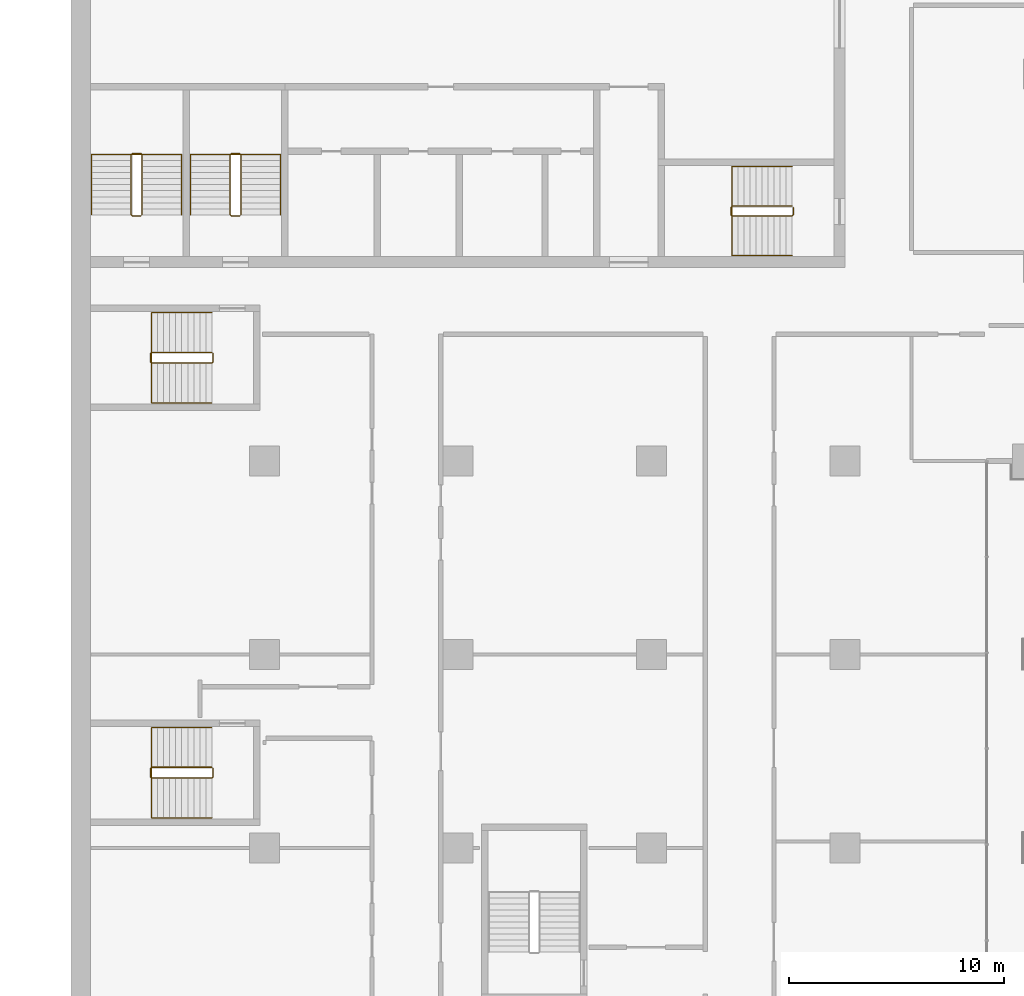
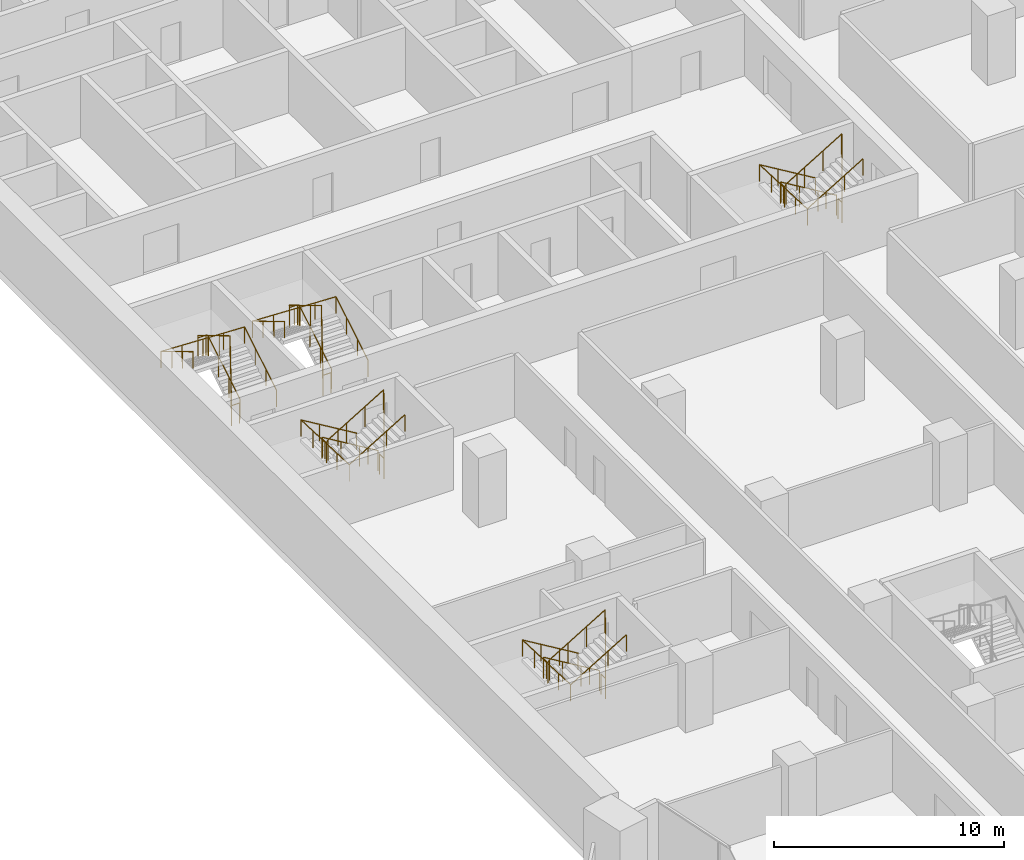
# One storey, part 26 of 29: 10 railings.
"""IFC4 building model written with IfcOpenShell, lengths in metres."""

from ifc_helpers import new_model, si_unit, direction, frame, origin, origin_2d, place, context, subcontext, project, spatial, circle, extrude, material, type_object, element, save


model = new_model("IFC4")

# Units and contexts
model_context = context("Model", 3, precision=1e-05, world=origin(), true_north=direction((0.0, 1.0)))
body_context = subcontext(model_context, "Body", "Model", "MODEL_VIEW")
ifc_project = project(units=[si_unit("LENGTHUNIT", "METRE"), si_unit("AREAUNIT", "SQUARE_METRE"), si_unit("VOLUMEUNIT", "CUBIC_METRE"), si_unit("PLANEANGLEUNIT", "RADIAN"), si_unit("MASSUNIT", "GRAM", prefix="KILO")], contexts=[model_context])

# Site, building, storey
site_placement = place(None, origin())
site = spatial("IfcSite", under=ifc_project, at=site_placement, CompositionType="ELEMENT")
building_placement = place(site_placement, origin())
building = spatial("IfcBuilding", under=site, at=building_placement, Name="Hunhe Ridgeline Campus", CompositionType="ELEMENT")
storey_placement = place(building_placement, frame((0.0, 0.0, 65.39990234375)))
storey = spatial("IfcBuildingStorey", under=building, at=storey_placement, Name="L15", CompositionType="ELEMENT", Elevation=65.39990234375)

# Railings
ifc_material_1 = material(Name="Stainless steel balustrade", Category="steel")
railing_type_1 = type_object("IfcRailingType", Name="Stair guard 1100 stainless", PredefinedType="GUARDRAIL", material=ifc_material_1)
railing_1_placement = place(storey_placement, frame((33.550048828125, 65.85009765625, 0.168212890625)))
element("IfcRailing", 1, at=railing_1_placement, inside=storey, type_object=railing_type_1, Name="L15 stair S2 guard", PredefinedType="GUARDRAIL", context=body_context, shape_type="SweptSolid", body=[
    extrude(circle(Radius=0.02392578125, at=origin_2d()), frame((0.0, 0.0, 1.076171875), z_axis=(-0.857242210791, 0.0, 0.514913383045), x_axis=(0.0, -1.0, 0.0)), (0.0, 0.0, 1.0), 3.266357421875),
    extrude(circle(Radius=0.02392578125, at=origin_2d()), frame((-2.800048828125, 0.0, 2.7578125), z_axis=(-0.707106781187, -0.707106781187, 0.0), x_axis=(0.707106781187, -0.707106781187, 0.0)), (0.0, 0.0, 1.0), 0.07080078125),
    extrude(circle(Radius=0.02392578125, at=origin_2d()), frame((-2.85009765625, -0.050048828125, 2.7578125), z_axis=(0.0, -1.0, 0.0), x_axis=(1.0, 0.0, 0.0)), (0.0, 0.0, 1.0), 0.35009765625),
    extrude(circle(Radius=0.02392578125, at=origin_2d()), frame((-2.85009765625, -0.400146484375, 2.7578125), z_axis=(0.274243871929, -0.274243871929, 0.92172696468), x_axis=(0.707106781187, 0.707106781187, 0.0)), (0.0, 0.0, 1.0), 0.1826171875),
    extrude(circle(Radius=0.02392578125, at=origin_2d()), frame((-2.800048828125, -0.4501953125, 2.92626953125), z_axis=(0.857242210791, 0.0, 0.514913383045), x_axis=(0.0, 1.0, 0.0)), (0.0, 0.0, 1.0), 3.266357421875),
    extrude(circle(Radius=0.02392578125, at=origin_2d()), frame((0.0, -0.4501953125, 4.60791015625), z_axis=(0.013523522368, 0.013523522368, -0.999817097616), x_axis=(-0.707106781187, 0.707106781187, 0.0)), (0.0, 0.0, 1.0), 3.700927734375),
    extrude(circle(Radius=0.02392578125, at=origin_2d()), frame((0.050048828125, -0.400146484375, 0.90771484375), z_axis=(0.0, 1.0, 0.0), x_axis=(-1.0, 0.0, 0.0)), (0.0, 0.0, 1.0), 0.35009765625),
    extrude(circle(Radius=0.02099609375, at=origin_2d()), origin(), (0.0, 0.0, 1.0), 1.052001953125),
    extrude(circle(Radius=0.02099609375, at=origin_2d()), frame((-0.933349609375, 0.0, 0.560546875)), (0.0, 0.0, 1.0), 1.052001953125),
    extrude(circle(Radius=0.02099609375, at=origin_2d()), frame((-1.86669921875, 0.0, 1.121337890625)), (0.0, 0.0, 1.0), 1.052001953125),
    extrude(circle(Radius=0.02099609375, at=origin_2d()), frame((-2.800048828125, 0.0, 1.681884765625)), (0.0, 0.0, 1.0), 1.052001953125),
    extrude(circle(Radius=0.02099609375, at=origin_2d()), frame((-2.85009765625, -0.050048828125, 1.681884765625)), (0.0, 0.0, 1.0), 1.052001953125),
    extrude(circle(Radius=0.02099609375, at=origin_2d()), frame((-2.85009765625, -0.400146484375, 1.681884765625)), (0.0, 0.0, 1.0), 1.052001953125),
    extrude(circle(Radius=0.02099609375, at=origin_2d()), frame((-2.800048828125, -0.4501953125, 1.85009765625)), (0.0, 0.0, 1.0), 1.052001953125),
    extrude(circle(Radius=0.02099609375, at=origin_2d()), frame((-1.86669921875, -0.4501953125, 2.41064453125)), (0.0, 0.0, 1.0), 1.052001953125),
    extrude(circle(Radius=0.02099609375, at=origin_2d()), frame((-0.933349609375, -0.4501953125, 2.971435546875)), (0.0, 0.0, 1.0), 1.052001953125),
    extrude(circle(Radius=0.02099609375, at=origin_2d()), frame((0.0, -0.4501953125, 3.531982421875)), (0.0, 0.0, 1.0), 1.052001953125),
    extrude(circle(Radius=0.02099609375, at=origin_2d()), frame((0.012451171875, -0.437744140625, 2.60693359375)), (0.0, 0.0, 1.0), 1.052001953125),
    extrude(circle(Radius=0.02099609375, at=origin_2d()), frame((0.02490234375, -0.42529296875, 1.681884765625)), (0.0, 0.0, 1.0), 1.052001953125),
    extrude(circle(Radius=0.02099609375, at=origin_2d()), frame((0.03759765625, -0.41259765625, 0.7568359375)), (0.0, 0.0, 1.0), 1.052001953125),
    extrude(circle(Radius=0.02099609375, at=origin_2d()), frame((0.050048828125, -0.400146484375, -0.168212890625)), (0.0, 0.0, 1.0), 1.052001953125),
    extrude(circle(Radius=0.02099609375, at=origin_2d()), frame((0.050048828125, -0.050048828125, -0.168212890625)), (0.0, 0.0, 1.0), 1.052001953125),
])
railing_2_placement = place(storey_placement, frame((3.300048828125, 65.449951171875, 0.168212890625)))
element("IfcRailing", 2, at=railing_2_placement, inside=storey, type_object=railing_type_1, Name="L15 stair S3 guard", PredefinedType="GUARDRAIL", context=body_context, shape_type="SweptSolid", body=[
    extrude(circle(Radius=0.02392578125, at=origin_2d()), frame((0.0, 0.0, 1.076171875), z_axis=(0.0, 0.857242210791, 0.514913383045), x_axis=(-1.0, 0.0, 0.0)), (0.0, 0.0, 1.0), 3.266357421875),
    extrude(circle(Radius=0.02392578125, at=origin_2d()), frame((0.0, 2.800048828125, 2.7578125), z_axis=(-0.707106781187, 0.707106781187, 0.0), x_axis=(-0.707106781187, -0.707106781187, 0.0)), (0.0, 0.0, 1.0), 0.07080078125),
    extrude(circle(Radius=0.02392578125, at=origin_2d()), frame((-0.050048828125, 2.85009765625, 2.7578125), z_axis=(-1.0, 0.0, 0.0), x_axis=(0.0, -1.0, 0.0)), (0.0, 0.0, 1.0), 0.39990234375),
    extrude(circle(Radius=0.02392578125, at=origin_2d()), frame((-0.449951171875, 2.85009765625, 2.7578125), z_axis=(-0.274243871929, -0.274243871929, 0.92172696468), x_axis=(0.707106781187, -0.707106781187, 0.0)), (0.0, 0.0, 1.0), 0.1826171875),
    extrude(circle(Radius=0.02392578125, at=origin_2d()), frame((-0.5, 2.800048828125, 2.92626953125), z_axis=(0.0, -0.857242210791, 0.514913383045), x_axis=(1.0, 0.0, 0.0)), (0.0, 0.0, 1.0), 3.266357421875),
    extrude(circle(Radius=0.02392578125, at=origin_2d()), frame((-0.5, 0.0, 4.60791015625), z_axis=(0.013523522368, -0.013523522368, -0.999817097616), x_axis=(0.707106781187, 0.707106781187, 0.0)), (0.0, 0.0, 1.0), 3.700927734375),
    extrude(circle(Radius=0.02392578125, at=origin_2d()), frame((-0.449951171875, -0.050048828125, 0.90771484375), z_axis=(1.0, 0.0, 0.0), x_axis=(0.0, 1.0, 0.0)), (0.0, 0.0, 1.0), 0.39990234375),
    extrude(circle(Radius=0.02099609375, at=origin_2d()), origin(), (0.0, 0.0, 1.0), 1.052001953125),
    extrude(circle(Radius=0.02099609375, at=origin_2d()), frame((0.0, 0.933349609375, 0.560546875)), (0.0, 0.0, 1.0), 1.052001953125),
    extrude(circle(Radius=0.02099609375, at=origin_2d()), frame((0.0, 1.86669921875, 1.121337890625)), (0.0, 0.0, 1.0), 1.052001953125),
    extrude(circle(Radius=0.02099609375, at=origin_2d()), frame((0.0, 2.800048828125, 1.681884765625)), (0.0, 0.0, 1.0), 1.052001953125),
    extrude(circle(Radius=0.02099609375, at=origin_2d()), frame((-0.050048828125, 2.85009765625, 1.681884765625)), (0.0, 0.0, 1.0), 1.052001953125),
    extrude(circle(Radius=0.02099609375, at=origin_2d()), frame((-0.449951171875, 2.85009765625, 1.681884765625)), (0.0, 0.0, 1.0), 1.052001953125),
    extrude(circle(Radius=0.02099609375, at=origin_2d()), frame((-0.5, 2.800048828125, 1.85009765625)), (0.0, 0.0, 1.0), 1.052001953125),
    extrude(circle(Radius=0.02099609375, at=origin_2d()), frame((-0.5, 1.86669921875, 2.41064453125)), (0.0, 0.0, 1.0), 1.052001953125),
    extrude(circle(Radius=0.02099609375, at=origin_2d()), frame((-0.5, 0.933349609375, 2.971435546875)), (0.0, 0.0, 1.0), 1.052001953125),
    extrude(circle(Radius=0.02099609375, at=origin_2d()), frame((-0.5, 0.0, 3.531982421875)), (0.0, 0.0, 1.0), 1.052001953125),
    extrude(circle(Radius=0.02099609375, at=origin_2d()), frame((-0.487548828125, -0.012451171875, 2.60693359375)), (0.0, 0.0, 1.0), 1.052001953125),
    extrude(circle(Radius=0.02099609375, at=origin_2d()), frame((-0.47509765625, -0.02490234375, 1.681884765625)), (0.0, 0.0, 1.0), 1.052001953125),
    extrude(circle(Radius=0.02099609375, at=origin_2d()), frame((-0.46240234375, -0.03759765625, 0.7568359375)), (0.0, 0.0, 1.0), 1.052001953125),
    extrude(circle(Radius=0.02099609375, at=origin_2d()), frame((-0.449951171875, -0.050048828125, -0.168212890625)), (0.0, 0.0, 1.0), 1.052001953125),
    extrude(circle(Radius=0.02099609375, at=origin_2d()), frame((-0.050048828125, -0.050048828125, -0.168212890625)), (0.0, 0.0, 1.0), 1.052001953125),
])
railing_3_placement = place(storey_placement, frame((7.89990234375, 65.449951171875, 0.168212890625)))
element("IfcRailing", 3, at=railing_3_placement, inside=storey, type_object=railing_type_1, Name="L15 stair S4 guard", PredefinedType="GUARDRAIL", context=body_context, shape_type="SweptSolid", body=[
    extrude(circle(Radius=0.02392578125, at=origin_2d()), frame((0.0, 0.0, 1.076171875), z_axis=(0.0, 0.857242210791, 0.514913383045), x_axis=(-1.0, 0.0, 0.0)), (0.0, 0.0, 1.0), 3.266357421875),
    extrude(circle(Radius=0.02392578125, at=origin_2d()), frame((0.0, 2.800048828125, 2.7578125), z_axis=(-0.705375805398, 0.708833529934, 0.0), x_axis=(-0.708833529934, -0.705375805398, 0.0)), (0.0, 0.0, 1.0), 0.070556640625),
    extrude(circle(Radius=0.02392578125, at=origin_2d()), frame((-0.0498046875, 2.85009765625, 2.7578125), z_axis=(-1.0, 0.0, 0.0), x_axis=(0.0, -1.0, 0.0)), (0.0, 0.0, 1.0), 0.400146484375),
    extrude(circle(Radius=0.02392578125, at=origin_2d()), frame((-0.449951171875, 2.85009765625, 2.7578125), z_axis=(-0.274243871929, -0.274243871929, 0.92172696468), x_axis=(0.707106781187, -0.707106781187, 0.0)), (0.0, 0.0, 1.0), 0.1826171875),
    extrude(circle(Radius=0.02392578125, at=origin_2d()), frame((-0.5, 2.800048828125, 2.92626953125), z_axis=(0.0, -0.857242210791, 0.514913383045), x_axis=(1.0, 0.0, 0.0)), (0.0, 0.0, 1.0), 3.266357421875),
    extrude(circle(Radius=0.02392578125, at=origin_2d()), frame((-0.5, 0.0, 4.60791015625), z_axis=(0.013523522368, -0.013523522368, -0.999817097616), x_axis=(0.707106781187, 0.707106781187, 0.0)), (0.0, 0.0, 1.0), 3.700927734375),
    extrude(circle(Radius=0.02392578125, at=origin_2d()), frame((-0.449951171875, -0.050048828125, 0.90771484375), z_axis=(1.0, 0.0, 0.0), x_axis=(0.0, 1.0, 0.0)), (0.0, 0.0, 1.0), 0.400146484375),
    extrude(circle(Radius=0.02099609375, at=origin_2d()), origin(), (0.0, 0.0, 1.0), 1.052001953125),
    extrude(circle(Radius=0.02099609375, at=origin_2d()), frame((0.0, 0.933349609375, 0.560546875)), (0.0, 0.0, 1.0), 1.052001953125),
    extrude(circle(Radius=0.02099609375, at=origin_2d()), frame((0.0, 1.86669921875, 1.121337890625)), (0.0, 0.0, 1.0), 1.052001953125),
    extrude(circle(Radius=0.02099609375, at=origin_2d()), frame((0.0, 2.800048828125, 1.681884765625)), (0.0, 0.0, 1.0), 1.052001953125),
    extrude(circle(Radius=0.02099609375, at=origin_2d()), frame((-0.0498046875, 2.85009765625, 1.681884765625)), (0.0, 0.0, 1.0), 1.052001953125),
    extrude(circle(Radius=0.02099609375, at=origin_2d()), frame((-0.449951171875, 2.85009765625, 1.681884765625)), (0.0, 0.0, 1.0), 1.052001953125),
    extrude(circle(Radius=0.02099609375, at=origin_2d()), frame((-0.5, 2.800048828125, 1.85009765625)), (0.0, 0.0, 1.0), 1.052001953125),
    extrude(circle(Radius=0.02099609375, at=origin_2d()), frame((-0.5, 1.86669921875, 2.41064453125)), (0.0, 0.0, 1.0), 1.052001953125),
    extrude(circle(Radius=0.02099609375, at=origin_2d()), frame((-0.5, 0.933349609375, 2.971435546875)), (0.0, 0.0, 1.0), 1.052001953125),
    extrude(circle(Radius=0.02099609375, at=origin_2d()), frame((-0.5, 0.0, 3.531982421875)), (0.0, 0.0, 1.0), 1.052001953125),
    extrude(circle(Radius=0.02099609375, at=origin_2d()), frame((-0.487548828125, -0.012451171875, 2.60693359375)), (0.0, 0.0, 1.0), 1.052001953125),
    extrude(circle(Radius=0.02099609375, at=origin_2d()), frame((-0.47509765625, -0.02490234375, 1.681884765625)), (0.0, 0.0, 1.0), 1.052001953125),
    extrude(circle(Radius=0.02099609375, at=origin_2d()), frame((-0.46240234375, -0.03759765625, 0.7568359375)), (0.0, 0.0, 1.0), 1.052001953125),
    extrude(circle(Radius=0.02099609375, at=origin_2d()), frame((-0.449951171875, -0.050048828125, -0.168212890625)), (0.0, 0.0, 1.0), 1.052001953125),
    extrude(circle(Radius=0.02099609375, at=origin_2d()), frame((-0.0498046875, -0.050048828125, -0.168212890625)), (0.0, 0.0, 1.0), 1.052001953125),
])
railing_4_placement = place(storey_placement, frame((6.550048828125, 39.75, 0.168212890625)))
element("IfcRailing", 4, at=railing_4_placement, inside=storey, type_object=railing_type_1, Name="L15 stair W1 guard", PredefinedType="GUARDRAIL", context=body_context, shape_type="SweptSolid", body=[
    extrude(circle(Radius=0.02392578125, at=origin_2d()), frame((0.0, 0.0, 1.076171875), z_axis=(-0.857242210791, 0.0, 0.514913383045), x_axis=(0.0, -1.0, 0.0)), (0.0, 0.0, 1.0), 3.266357421875),
    extrude(circle(Radius=0.02392578125, at=origin_2d()), frame((-2.800048828125, 0.0, 2.7578125), z_axis=(-0.707106781187, -0.707106781187, 0.0), x_axis=(0.707106781187, -0.707106781187, 0.0)), (0.0, 0.0, 1.0), 0.07080078125),
    extrude(circle(Radius=0.02392578125, at=origin_2d()), frame((-2.85009765625, -0.050048828125, 2.7578125), z_axis=(0.0, -1.0, 0.0), x_axis=(1.0, 0.0, 0.0)), (0.0, 0.0, 1.0), 0.39990234375),
    extrude(circle(Radius=0.02392578125, at=origin_2d()), frame((-2.85009765625, -0.449951171875, 2.7578125), z_axis=(0.274243871929, -0.274243871929, 0.92172696468), x_axis=(0.707106781187, 0.707106781187, 0.0)), (0.0, 0.0, 1.0), 0.1826171875),
    extrude(circle(Radius=0.02392578125, at=origin_2d()), frame((-2.800048828125, -0.5, 2.92626953125), z_axis=(0.857242210791, 0.0, 0.514913383045), x_axis=(0.0, 1.0, 0.0)), (0.0, 0.0, 1.0), 3.266357421875),
    extrude(circle(Radius=0.02392578125, at=origin_2d()), frame((0.0, -0.5, 4.60791015625), z_axis=(0.013523522368, 0.013523522368, -0.999817097616), x_axis=(-0.707106781187, 0.707106781187, 0.0)), (0.0, 0.0, 1.0), 3.700927734375),
    extrude(circle(Radius=0.02392578125, at=origin_2d()), frame((0.050048828125, -0.449951171875, 0.90771484375), z_axis=(0.0, 1.0, 0.0), x_axis=(-1.0, 0.0, 0.0)), (0.0, 0.0, 1.0), 0.39990234375),
    extrude(circle(Radius=0.02099609375, at=origin_2d()), origin(), (0.0, 0.0, 1.0), 1.052001953125),
    extrude(circle(Radius=0.02099609375, at=origin_2d()), frame((-0.933349609375, 0.0, 0.560546875)), (0.0, 0.0, 1.0), 1.052001953125),
    extrude(circle(Radius=0.02099609375, at=origin_2d()), frame((-1.86669921875, 0.0, 1.121337890625)), (0.0, 0.0, 1.0), 1.052001953125),
    extrude(circle(Radius=0.02099609375, at=origin_2d()), frame((-2.800048828125, 0.0, 1.681884765625)), (0.0, 0.0, 1.0), 1.052001953125),
    extrude(circle(Radius=0.02099609375, at=origin_2d()), frame((-2.85009765625, -0.050048828125, 1.681884765625)), (0.0, 0.0, 1.0), 1.052001953125),
    extrude(circle(Radius=0.02099609375, at=origin_2d()), frame((-2.85009765625, -0.449951171875, 1.681884765625)), (0.0, 0.0, 1.0), 1.052001953125),
    extrude(circle(Radius=0.02099609375, at=origin_2d()), frame((-2.800048828125, -0.5, 1.85009765625)), (0.0, 0.0, 1.0), 1.052001953125),
    extrude(circle(Radius=0.02099609375, at=origin_2d()), frame((-1.86669921875, -0.5, 2.41064453125)), (0.0, 0.0, 1.0), 1.052001953125),
    extrude(circle(Radius=0.02099609375, at=origin_2d()), frame((-0.933349609375, -0.5, 2.971435546875)), (0.0, 0.0, 1.0), 1.052001953125),
    extrude(circle(Radius=0.02099609375, at=origin_2d()), frame((0.0, -0.5, 3.531982421875)), (0.0, 0.0, 1.0), 1.052001953125),
    extrude(circle(Radius=0.02099609375, at=origin_2d()), frame((0.012451171875, -0.487548828125, 2.60693359375)), (0.0, 0.0, 1.0), 1.052001953125),
    extrude(circle(Radius=0.02099609375, at=origin_2d()), frame((0.02490234375, -0.47509765625, 1.681884765625)), (0.0, 0.0, 1.0), 1.052001953125),
    extrude(circle(Radius=0.02099609375, at=origin_2d()), frame((0.03759765625, -0.46240234375, 0.7568359375)), (0.0, 0.0, 1.0), 1.052001953125),
    extrude(circle(Radius=0.02099609375, at=origin_2d()), frame((0.050048828125, -0.449951171875, -0.168212890625)), (0.0, 0.0, 1.0), 1.052001953125),
    extrude(circle(Radius=0.02099609375, at=origin_2d()), frame((0.050048828125, -0.050048828125, -0.168212890625)), (0.0, 0.0, 1.0), 1.052001953125),
])
railing_5_placement = place(storey_placement, frame((6.550048828125, 59.050048828125, 0.168212890625)))
element("IfcRailing", 5, at=railing_5_placement, inside=storey, type_object=railing_type_1, Name="L15 stair W2 guard", PredefinedType="GUARDRAIL", context=body_context, shape_type="SweptSolid", body=[
    extrude(circle(Radius=0.02392578125, at=origin_2d()), frame((0.0, 0.0, 1.076171875), z_axis=(-0.857242210791, 0.0, 0.514913383045), x_axis=(0.0, -1.0, 0.0)), (0.0, 0.0, 1.0), 3.266357421875),
    extrude(circle(Radius=0.02392578125, at=origin_2d()), frame((-2.800048828125, 0.0, 2.7578125), z_axis=(-0.707106781187, -0.707106781187, 0.0), x_axis=(0.707106781187, -0.707106781187, 0.0)), (0.0, 0.0, 1.0), 0.07080078125),
    extrude(circle(Radius=0.02392578125, at=origin_2d()), frame((-2.85009765625, -0.050048828125, 2.7578125), z_axis=(0.0, -1.0, 0.0), x_axis=(1.0, 0.0, 0.0)), (0.0, 0.0, 1.0), 0.39990234375),
    extrude(circle(Radius=0.02392578125, at=origin_2d()), frame((-2.85009765625, -0.449951171875, 2.7578125), z_axis=(0.274243871929, -0.274243871929, 0.92172696468), x_axis=(0.707106781187, 0.707106781187, 0.0)), (0.0, 0.0, 1.0), 0.1826171875),
    extrude(circle(Radius=0.02392578125, at=origin_2d()), frame((-2.800048828125, -0.5, 2.92626953125), z_axis=(0.857242210791, 0.0, 0.514913383045), x_axis=(0.0, 1.0, 0.0)), (0.0, 0.0, 1.0), 3.266357421875),
    extrude(circle(Radius=0.02392578125, at=origin_2d()), frame((0.0, -0.5, 4.60791015625), z_axis=(0.013523522368, 0.013523522368, -0.999817097616), x_axis=(-0.707106781187, 0.707106781187, 0.0)), (0.0, 0.0, 1.0), 3.700927734375),
    extrude(circle(Radius=0.02392578125, at=origin_2d()), frame((0.050048828125, -0.449951171875, 0.90771484375), z_axis=(0.0, 1.0, 0.0), x_axis=(-1.0, 0.0, 0.0)), (0.0, 0.0, 1.0), 0.39990234375),
    extrude(circle(Radius=0.02099609375, at=origin_2d()), origin(), (0.0, 0.0, 1.0), 1.052001953125),
    extrude(circle(Radius=0.02099609375, at=origin_2d()), frame((-0.933349609375, 0.0, 0.560546875)), (0.0, 0.0, 1.0), 1.052001953125),
    extrude(circle(Radius=0.02099609375, at=origin_2d()), frame((-1.86669921875, 0.0, 1.121337890625)), (0.0, 0.0, 1.0), 1.052001953125),
    extrude(circle(Radius=0.02099609375, at=origin_2d()), frame((-2.800048828125, 0.0, 1.681884765625)), (0.0, 0.0, 1.0), 1.052001953125),
    extrude(circle(Radius=0.02099609375, at=origin_2d()), frame((-2.85009765625, -0.050048828125, 1.681884765625)), (0.0, 0.0, 1.0), 1.052001953125),
    extrude(circle(Radius=0.02099609375, at=origin_2d()), frame((-2.85009765625, -0.449951171875, 1.681884765625)), (0.0, 0.0, 1.0), 1.052001953125),
    extrude(circle(Radius=0.02099609375, at=origin_2d()), frame((-2.800048828125, -0.5, 1.85009765625)), (0.0, 0.0, 1.0), 1.052001953125),
    extrude(circle(Radius=0.02099609375, at=origin_2d()), frame((-1.86669921875, -0.5, 2.41064453125)), (0.0, 0.0, 1.0), 1.052001953125),
    extrude(circle(Radius=0.02099609375, at=origin_2d()), frame((-0.933349609375, -0.5, 2.971435546875)), (0.0, 0.0, 1.0), 1.052001953125),
    extrude(circle(Radius=0.02099609375, at=origin_2d()), frame((0.0, -0.5, 3.531982421875)), (0.0, 0.0, 1.0), 1.052001953125),
    extrude(circle(Radius=0.02099609375, at=origin_2d()), frame((0.012451171875, -0.487548828125, 2.60693359375)), (0.0, 0.0, 1.0), 1.052001953125),
    extrude(circle(Radius=0.02099609375, at=origin_2d()), frame((0.02490234375, -0.47509765625, 1.681884765625)), (0.0, 0.0, 1.0), 1.052001953125),
    extrude(circle(Radius=0.02099609375, at=origin_2d()), frame((0.03759765625, -0.46240234375, 0.7568359375)), (0.0, 0.0, 1.0), 1.052001953125),
    extrude(circle(Radius=0.02099609375, at=origin_2d()), frame((0.050048828125, -0.449951171875, -0.168212890625)), (0.0, 0.0, 1.0), 1.052001953125),
    extrude(circle(Radius=0.02099609375, at=origin_2d()), frame((0.050048828125, -0.050048828125, -0.168212890625)), (0.0, 0.0, 1.0), 1.052001953125),
])
ifc_material_2 = material(Name="Stainless steel handrail", Category="steel")
railing_type_2 = type_object("IfcRailingType", Name="Stair handrail 900 stainless", PredefinedType="HANDRAIL", material=ifc_material_2)
railing_6_placement = place(storey_placement, frame((33.550048828125, 67.699951171875, 0.168212890625)))
element("IfcRailing", 6, at=railing_6_placement, inside=storey, type_object=railing_type_2, Name="L15 stair S2 handrail", PredefinedType="HANDRAIL", context=body_context, shape_type="SweptSolid", body=[
    extrude(circle(Radius=0.02392578125, at=origin_2d()), frame((0.0, 0.0, 0.8759765625), z_axis=(-0.857242210791, 0.0, 0.514913383045), x_axis=(0.0, -1.0, 0.0)), (0.0, 0.0, 1.0), 3.266357421875),
    extrude(circle(Radius=0.02392578125, at=origin_2d()), frame((-2.800048828125, 0.0, 2.5576171875), z_axis=(0.0, -0.99917950104, 0.040500922239), x_axis=(1.0, 0.0, 0.0)), (0.0, 0.0, 1.0), 4.1533203125),
    extrude(circle(Radius=0.02392578125, at=origin_2d()), frame((-2.800048828125, -4.14990234375, 2.72607421875), z_axis=(0.857242210791, 0.0, 0.514913383045), x_axis=(0.0, 1.0, 0.0)), (0.0, 0.0, 1.0), 3.266357421875),
    extrude(circle(Radius=0.02099609375, at=origin_2d()), origin(), (0.0, 0.0, 1.0), 0.851806640625),
    extrude(circle(Radius=0.02099609375, at=origin_2d()), frame((-0.933349609375, 0.0, 0.560546875)), (0.0, 0.0, 1.0), 0.851806640625),
    extrude(circle(Radius=0.02099609375, at=origin_2d()), frame((-1.86669921875, 0.0, 1.121337890625)), (0.0, 0.0, 1.0), 0.851806640625),
    extrude(circle(Radius=0.02099609375, at=origin_2d()), frame((-2.800048828125, 0.0, 1.681884765625)), (0.0, 0.0, 1.0), 0.851806640625),
    extrude(circle(Radius=0.02099609375, at=origin_2d()), frame((-2.800048828125, -1.03759765625, 1.723876953125)), (0.0, 0.0, 1.0), 0.851806640625),
    extrude(circle(Radius=0.02099609375, at=origin_2d()), frame((-2.800048828125, -2.074951171875, 1.76611328125)), (0.0, 0.0, 1.0), 0.851806640625),
    extrude(circle(Radius=0.02099609375, at=origin_2d()), frame((-2.800048828125, -3.1123046875, 1.80810546875)), (0.0, 0.0, 1.0), 0.851806640625),
    extrude(circle(Radius=0.02099609375, at=origin_2d()), frame((-2.800048828125, -4.14990234375, 1.85009765625)), (0.0, 0.0, 1.0), 0.851806640625),
    extrude(circle(Radius=0.02099609375, at=origin_2d()), frame((-1.86669921875, -4.14990234375, 2.41064453125)), (0.0, 0.0, 1.0), 0.851806640625),
    extrude(circle(Radius=0.02099609375, at=origin_2d()), frame((-0.933349609375, -4.14990234375, 2.971435546875)), (0.0, 0.0, 1.0), 0.851806640625),
    extrude(circle(Radius=0.02099609375, at=origin_2d()), frame((0.0, -4.14990234375, 3.531982421875)), (0.0, 0.0, 1.0), 0.851806640625),
])
railing_7_placement = place(storey_placement, frame((5.14990234375, 65.449951171875, 0.168212890625)))
element("IfcRailing", 7, at=railing_7_placement, inside=storey, type_object=railing_type_2, Name="L15 stair S3 handrail", PredefinedType="HANDRAIL", context=body_context, shape_type="SweptSolid", body=[
    extrude(circle(Radius=0.02392578125, at=origin_2d()), frame((0.0, 0.0, 0.8759765625), z_axis=(0.0, 0.857242210791, 0.514913383045), x_axis=(-1.0, 0.0, 0.0)), (0.0, 0.0, 1.0), 3.266357421875),
    extrude(circle(Radius=0.02392578125, at=origin_2d()), frame((0.0, 2.800048828125, 2.5576171875), z_axis=(-0.999198916169, 0.0, 0.040019069537), x_axis=(0.0, -1.0, 0.0)), (0.0, 0.0, 1.0), 4.203369140625),
    extrude(circle(Radius=0.02392578125, at=origin_2d()), frame((-4.199951171875, 2.800048828125, 2.72607421875), z_axis=(0.0, -0.857242210791, 0.514913383045), x_axis=(1.0, 0.0, 0.0)), (0.0, 0.0, 1.0), 3.266357421875),
    extrude(circle(Radius=0.02099609375, at=origin_2d()), origin(), (0.0, 0.0, 1.0), 0.851806640625),
    extrude(circle(Radius=0.02099609375, at=origin_2d()), frame((0.0, 0.933349609375, 0.560546875)), (0.0, 0.0, 1.0), 0.851806640625),
    extrude(circle(Radius=0.02099609375, at=origin_2d()), frame((0.0, 1.86669921875, 1.121337890625)), (0.0, 0.0, 1.0), 0.851806640625),
    extrude(circle(Radius=0.02099609375, at=origin_2d()), frame((0.0, 2.800048828125, 1.681884765625)), (0.0, 0.0, 1.0), 0.851806640625),
    extrude(circle(Radius=0.02099609375, at=origin_2d()), frame((-1.050048828125, 2.800048828125, 1.723876953125)), (0.0, 0.0, 1.0), 0.851806640625),
    extrude(circle(Radius=0.02099609375, at=origin_2d()), frame((-2.10009765625, 2.800048828125, 1.76611328125)), (0.0, 0.0, 1.0), 0.851806640625),
    extrude(circle(Radius=0.02099609375, at=origin_2d()), frame((-3.14990234375, 2.800048828125, 1.80810546875)), (0.0, 0.0, 1.0), 0.851806640625),
    extrude(circle(Radius=0.02099609375, at=origin_2d()), frame((-4.199951171875, 2.800048828125, 1.85009765625)), (0.0, 0.0, 1.0), 0.851806640625),
    extrude(circle(Radius=0.02099609375, at=origin_2d()), frame((-4.199951171875, 1.86669921875, 2.41064453125)), (0.0, 0.0, 1.0), 0.851806640625),
    extrude(circle(Radius=0.02099609375, at=origin_2d()), frame((-4.199951171875, 0.933349609375, 2.971435546875)), (0.0, 0.0, 1.0), 0.851806640625),
    extrude(circle(Radius=0.02099609375, at=origin_2d()), frame((-4.199951171875, 0.0, 3.531982421875)), (0.0, 0.0, 1.0), 0.851806640625),
])
railing_8_placement = place(storey_placement, frame((9.75, 65.449951171875, 0.168212890625)))
element("IfcRailing", 8, at=railing_8_placement, inside=storey, type_object=railing_type_2, Name="L15 stair S4 handrail", PredefinedType="HANDRAIL", context=body_context, shape_type="SweptSolid", body=[
    extrude(circle(Radius=0.02392578125, at=origin_2d()), frame((0.0, 0.0, 0.8759765625), z_axis=(0.0, 0.857242210791, 0.514913383045), x_axis=(-1.0, 0.0, 0.0)), (0.0, 0.0, 1.0), 3.266357421875),
    extrude(circle(Radius=0.02392578125, at=origin_2d()), frame((0.0, 2.800048828125, 2.5576171875), z_axis=(-0.999198916169, 0.0, 0.040019069537), x_axis=(0.0, -1.0, 0.0)), (0.0, 0.0, 1.0), 4.203369140625),
    extrude(circle(Radius=0.02392578125, at=origin_2d()), frame((-4.199951171875, 2.800048828125, 2.72607421875), z_axis=(0.0, -0.857242210791, 0.514913383045), x_axis=(1.0, 0.0, 0.0)), (0.0, 0.0, 1.0), 3.266357421875),
    extrude(circle(Radius=0.02099609375, at=origin_2d()), origin(), (0.0, 0.0, 1.0), 0.851806640625),
    extrude(circle(Radius=0.02099609375, at=origin_2d()), frame((0.0, 0.933349609375, 0.560546875)), (0.0, 0.0, 1.0), 0.851806640625),
    extrude(circle(Radius=0.02099609375, at=origin_2d()), frame((0.0, 1.86669921875, 1.121337890625)), (0.0, 0.0, 1.0), 0.851806640625),
    extrude(circle(Radius=0.02099609375, at=origin_2d()), frame((0.0, 2.800048828125, 1.681884765625)), (0.0, 0.0, 1.0), 0.851806640625),
    extrude(circle(Radius=0.02099609375, at=origin_2d()), frame((-1.050048828125, 2.800048828125, 1.723876953125)), (0.0, 0.0, 1.0), 0.851806640625),
    extrude(circle(Radius=0.02099609375, at=origin_2d()), frame((-2.10009765625, 2.800048828125, 1.76611328125)), (0.0, 0.0, 1.0), 0.851806640625),
    extrude(circle(Radius=0.02099609375, at=origin_2d()), frame((-3.14990234375, 2.800048828125, 1.80810546875)), (0.0, 0.0, 1.0), 0.851806640625),
    extrude(circle(Radius=0.02099609375, at=origin_2d()), frame((-4.199951171875, 2.800048828125, 1.85009765625)), (0.0, 0.0, 1.0), 0.851806640625),
    extrude(circle(Radius=0.02099609375, at=origin_2d()), frame((-4.199951171875, 1.86669921875, 2.41064453125)), (0.0, 0.0, 1.0), 0.851806640625),
    extrude(circle(Radius=0.02099609375, at=origin_2d()), frame((-4.199951171875, 0.933349609375, 2.971435546875)), (0.0, 0.0, 1.0), 0.851806640625),
    extrude(circle(Radius=0.02099609375, at=origin_2d()), frame((-4.199951171875, 0.0, 3.531982421875)), (0.0, 0.0, 1.0), 0.851806640625),
])
railing_9_placement = place(storey_placement, frame((6.550048828125, 41.60009765625, 0.168212890625)))
element("IfcRailing", 9, at=railing_9_placement, inside=storey, type_object=railing_type_2, Name="L15 stair W1 handrail", PredefinedType="HANDRAIL", context=body_context, shape_type="SweptSolid", body=[
    extrude(circle(Radius=0.02392578125, at=origin_2d()), frame((0.0, 0.0, 0.8759765625), z_axis=(-0.857242210791, 0.0, 0.514913383045), x_axis=(0.0, -1.0, 0.0)), (0.0, 0.0, 1.0), 3.266357421875),
    extrude(circle(Radius=0.02392578125, at=origin_2d()), frame((-2.800048828125, 0.0, 2.5576171875), z_axis=(0.0, -0.999199009182, 0.040016747113), x_axis=(1.0, 0.0, 0.0)), (0.0, 0.0, 1.0), 4.20361328125),
    extrude(circle(Radius=0.02392578125, at=origin_2d()), frame((-2.800048828125, -4.2001953125, 2.72607421875), z_axis=(0.857242210791, 0.0, 0.514913383045), x_axis=(0.0, 1.0, 0.0)), (0.0, 0.0, 1.0), 3.266357421875),
    extrude(circle(Radius=0.02099609375, at=origin_2d()), origin(), (0.0, 0.0, 1.0), 0.851806640625),
    extrude(circle(Radius=0.02099609375, at=origin_2d()), frame((-0.933349609375, 0.0, 0.560546875)), (0.0, 0.0, 1.0), 0.851806640625),
    extrude(circle(Radius=0.02099609375, at=origin_2d()), frame((-1.86669921875, 0.0, 1.121337890625)), (0.0, 0.0, 1.0), 0.851806640625),
    extrude(circle(Radius=0.02099609375, at=origin_2d()), frame((-2.800048828125, 0.0, 1.681884765625)), (0.0, 0.0, 1.0), 0.851806640625),
    extrude(circle(Radius=0.02099609375, at=origin_2d()), frame((-2.800048828125, -1.050048828125, 1.723876953125)), (0.0, 0.0, 1.0), 0.851806640625),
    extrude(circle(Radius=0.02099609375, at=origin_2d()), frame((-2.800048828125, -2.10009765625, 1.76611328125)), (0.0, 0.0, 1.0), 0.851806640625),
    extrude(circle(Radius=0.02099609375, at=origin_2d()), frame((-2.800048828125, -3.150146484375, 1.80810546875)), (0.0, 0.0, 1.0), 0.851806640625),
    extrude(circle(Radius=0.02099609375, at=origin_2d()), frame((-2.800048828125, -4.2001953125, 1.85009765625)), (0.0, 0.0, 1.0), 0.851806640625),
    extrude(circle(Radius=0.02099609375, at=origin_2d()), frame((-1.86669921875, -4.2001953125, 2.41064453125)), (0.0, 0.0, 1.0), 0.851806640625),
    extrude(circle(Radius=0.02099609375, at=origin_2d()), frame((-0.933349609375, -4.2001953125, 2.971435546875)), (0.0, 0.0, 1.0), 0.851806640625),
    extrude(circle(Radius=0.02099609375, at=origin_2d()), frame((0.0, -4.2001953125, 3.531982421875)), (0.0, 0.0, 1.0), 0.851806640625),
])
railing_10_placement = place(storey_placement, frame((6.550048828125, 60.89990234375, 0.168212890625)))
element("IfcRailing", 10, at=railing_10_placement, inside=storey, type_object=railing_type_2, Name="L15 stair W2 handrail", PredefinedType="HANDRAIL", context=body_context, shape_type="SweptSolid", body=[
    extrude(circle(Radius=0.02392578125, at=origin_2d()), frame((0.0, 0.0, 0.8759765625), z_axis=(-0.857242210791, 0.0, 0.514913383045), x_axis=(0.0, -1.0, 0.0)), (0.0, 0.0, 1.0), 3.266357421875),
    extrude(circle(Radius=0.02392578125, at=origin_2d()), frame((-2.800048828125, 0.0, 2.5576171875), z_axis=(0.0, -0.999198916169, 0.040019069537), x_axis=(1.0, 0.0, 0.0)), (0.0, 0.0, 1.0), 4.203369140625),
    extrude(circle(Radius=0.02392578125, at=origin_2d()), frame((-2.800048828125, -4.199951171875, 2.72607421875), z_axis=(0.857242210791, 0.0, 0.514913383045), x_axis=(0.0, 1.0, 0.0)), (0.0, 0.0, 1.0), 3.266357421875),
    extrude(circle(Radius=0.02099609375, at=origin_2d()), origin(), (0.0, 0.0, 1.0), 0.851806640625),
    extrude(circle(Radius=0.02099609375, at=origin_2d()), frame((-0.933349609375, 0.0, 0.560546875)), (0.0, 0.0, 1.0), 0.851806640625),
    extrude(circle(Radius=0.02099609375, at=origin_2d()), frame((-1.86669921875, 0.0, 1.121337890625)), (0.0, 0.0, 1.0), 0.851806640625),
    extrude(circle(Radius=0.02099609375, at=origin_2d()), frame((-2.800048828125, 0.0, 1.681884765625)), (0.0, 0.0, 1.0), 0.851806640625),
    extrude(circle(Radius=0.02099609375, at=origin_2d()), frame((-2.800048828125, -1.050048828125, 1.723876953125)), (0.0, 0.0, 1.0), 0.851806640625),
    extrude(circle(Radius=0.02099609375, at=origin_2d()), frame((-2.800048828125, -2.10009765625, 1.76611328125)), (0.0, 0.0, 1.0), 0.851806640625),
    extrude(circle(Radius=0.02099609375, at=origin_2d()), frame((-2.800048828125, -3.14990234375, 1.80810546875)), (0.0, 0.0, 1.0), 0.851806640625),
    extrude(circle(Radius=0.02099609375, at=origin_2d()), frame((-2.800048828125, -4.199951171875, 1.85009765625)), (0.0, 0.0, 1.0), 0.851806640625),
    extrude(circle(Radius=0.02099609375, at=origin_2d()), frame((-1.86669921875, -4.199951171875, 2.41064453125)), (0.0, 0.0, 1.0), 0.851806640625),
    extrude(circle(Radius=0.02099609375, at=origin_2d()), frame((-0.933349609375, -4.199951171875, 2.971435546875)), (0.0, 0.0, 1.0), 0.851806640625),
    extrude(circle(Radius=0.02099609375, at=origin_2d()), frame((0.0, -4.199951171875, 3.531982421875)), (0.0, 0.0, 1.0), 0.851806640625),
])

save(model, "model.ifc")
